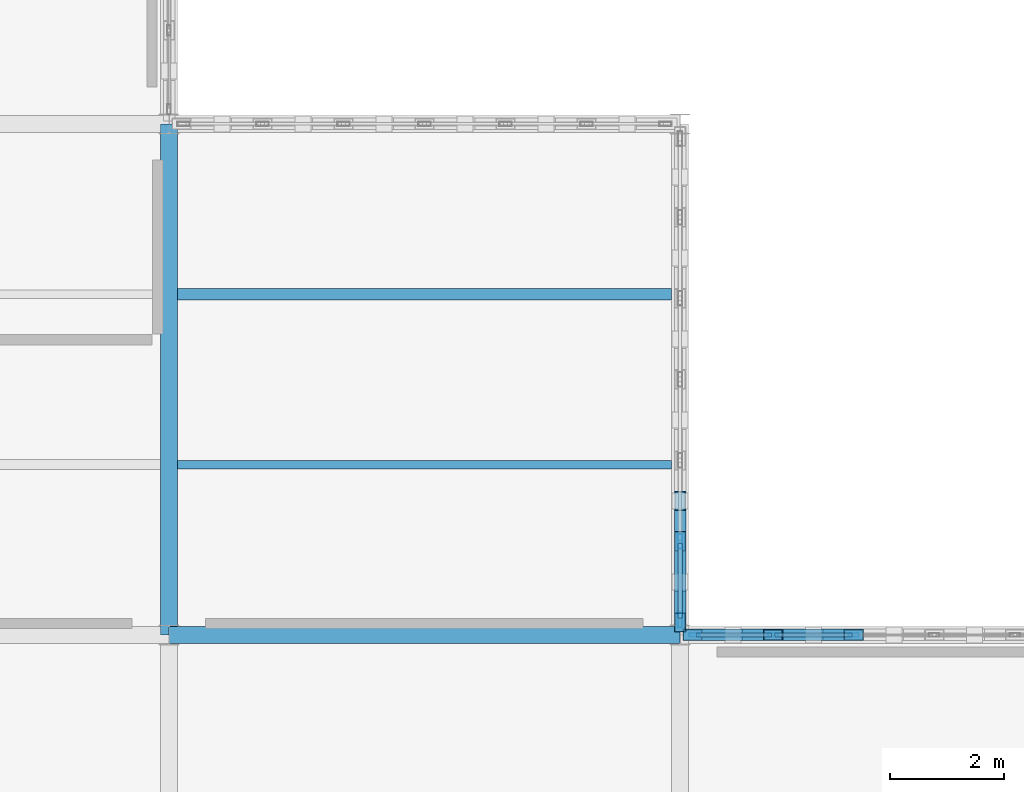
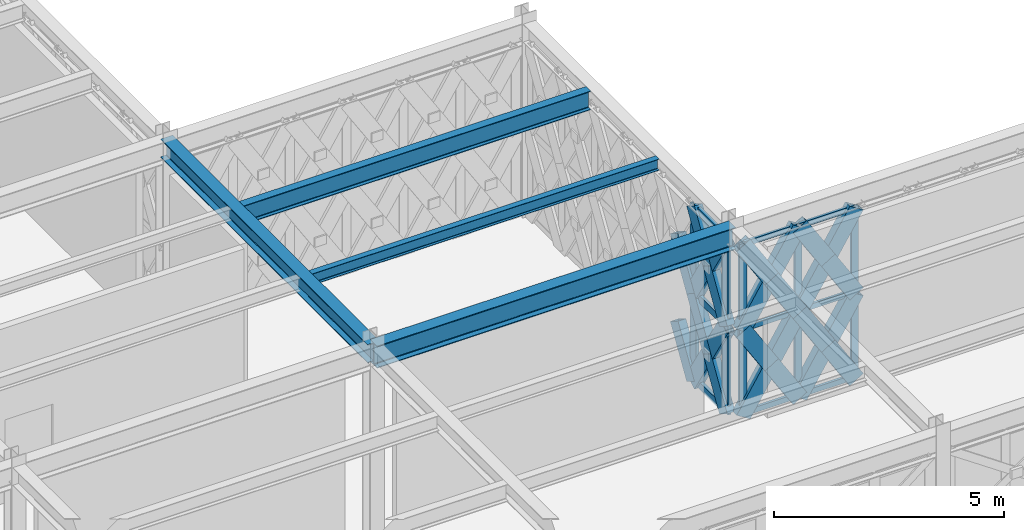
# One storey, part 115 of 166: 34 members, 4 beams, 2 elements without a shape of their own.
"""IFC4 building model written with IfcOpenShell, lengths in metres."""

import ifcopenshell
import ifcopenshell.guid

model = None  # the IFC model being written
_history = None  # IfcOwnerHistory: only IFC2X3 demands one
_inside = {}  # id of a spatial element -> (the spatial element, [elements in it])
_under = {}  # id of a project, library or spatial element -> (it, [spatial elements below it])
_declared = {}  # id of a project -> (the project, [libraries it declares])
_typed = {}  # id of a type object -> (the type object, [elements of that type])
_made_of = {}  # id of a material, layer set ... -> (it, [elements and type objects made of it])


def new_model(schema):
    """Start an empty IFC model of exactly this schema.

    Asked for "IFC4X3", IfcOpenShell would pick the latest addendum, in which some entities
    have other attributes; the version numbers below select the first issue.
    IFC2X3 requires an IfcOwnerHistory on every rooted entity: one is made here for all.
    """
    global model, _history
    if schema == "IFC4X3":
        model = ifcopenshell.file(schema_version=(4, 3, 0, 0))
    else:
        model = ifcopenshell.file(schema=schema)
    _inside.clear()
    _under.clear()
    _declared.clear()
    _typed.clear()
    _made_of.clear()
    _history = None
    if model.schema == "IFC2X3":
        org = make("IfcOrganization", Name="unknown")
        user = make(
            "IfcPersonAndOrganization",
            ThePerson=make("IfcPerson", FamilyName="unknown"),
            TheOrganization=org,
        )
        app = make(
            "IfcApplication",
            ApplicationDeveloper=org,
            Version="unknown",
            ApplicationFullName="unknown",
            ApplicationIdentifier="unknown",
        )
        _history = make(
            "IfcOwnerHistory",
            OwningUser=user,
            OwningApplication=app,
            ChangeAction="ADDED",
            CreationDate=0,
        )
    return model


def make(cls, **values):
    """One entity of the class cls with the attributes given. An attribute that is None is left unset."""
    return model.create_entity(
        cls, **{name: value for name, value in values.items() if value is not None}
    )


def rooted(cls, **values):
    """An entity with a GlobalId (a new one), such as an element, a storey or a relation."""
    return make(cls, GlobalId=ifcopenshell.guid.new(), OwnerHistory=_history, **values)


def si_unit(unit_type, name, prefix=None):
    """IfcSIUnit, for example si_unit("LENGTHUNIT", "METRE", prefix="MILLI")."""
    return make("IfcSIUnit", UnitType=unit_type, Prefix=prefix, Name=name)


def assignment(units):
    """IfcUnitAssignment: the units of a project."""
    return None if units is None else make("IfcUnitAssignment", Units=units)


def point(xyz):
    """IfcCartesianPoint."""
    return None if xyz is None else make("IfcCartesianPoint", Coordinates=xyz)


def direction(xyz):
    """IfcDirection."""
    return None if xyz is None else make("IfcDirection", DirectionRatios=xyz)


def frame(location, z_axis=None, x_axis=None):
    """IfcAxis2Placement3D, a coordinate frame: its origin and axes. An axis left out is left unset."""
    return make(
        "IfcAxis2Placement3D",
        Location=point(location),
        Axis=direction(z_axis),
        RefDirection=direction(x_axis),
    )


def frame_2d(location, x_axis=None):
    """IfcAxis2Placement2D, a coordinate frame in the plane: its origin and x axis."""
    return make(
        "IfcAxis2Placement2D", Location=point(location), RefDirection=direction(x_axis)
    )


def origin():
    """The frame at (0, 0, 0) with its axes left unset."""
    return frame((0.0, 0.0, 0.0))


def origin_2d():
    """The frame at (0, 0) in the plane with its x axis left unset."""
    return frame_2d((0.0, 0.0))


def place(relative_to, where):
    """IfcLocalPlacement: puts the frame where relative to a parent placement (None: the world)."""
    return make(
        "IfcLocalPlacement", PlacementRelTo=relative_to, RelativePlacement=where
    )


def context(
    kind, dimensions, precision=None, world=None, true_north=None, identifier=None
):
    """IfcGeometricRepresentationContext, for example the 3D "Model" context."""
    return make(
        "IfcGeometricRepresentationContext",
        ContextIdentifier=identifier,
        ContextType=kind,
        CoordinateSpaceDimension=dimensions,
        Precision=precision,
        WorldCoordinateSystem=world,
        TrueNorth=true_north,
    )


def subcontext(parent, identifier, kind, view, scale=None):
    """IfcGeometricRepresentationSubContext, for example "Body" below "Model"."""
    return make(
        "IfcGeometricRepresentationSubContext",
        ContextIdentifier=identifier,
        ContextType=kind,
        ParentContext=parent,
        TargetScale=scale,
        TargetView=view,
    )


def project(units=None, contexts=None):
    """IfcProject with its units and contexts."""
    return rooted(
        "IfcProject",
        Name="project",
        RepresentationContexts=contexts,
        UnitsInContext=assignment(units),
    )


def spatial(cls, under=None, at=None, **own):
    """A site, building, storey or space (cls), placed at a placement, below another one or the project."""
    s = rooted(cls, ObjectPlacement=at, **own)
    if under is not None:
        _under.setdefault(under.id(), (under, []))[1].append(s)
    return s


def profile(cls, at=None, kind="AREA", **sizes):
    """A parametric profile (cls). Its sizes go by their IFC names, for example OverallWidth=200.0."""
    return make(cls, ProfileType=kind, Position=at, **sizes)


def hollow_rectangle(**sizes):
    """IfcRectangleHollowProfileDef."""
    return profile("IfcRectangleHollowProfileDef", **sizes)


def i_section(**sizes):
    """IfcIShapeProfileDef."""
    return profile("IfcIShapeProfileDef", **sizes)


def extrude(swept, where, along, depth):
    """IfcExtrudedAreaSolid: the profile swept, set in the frame where, extruded along a direction by depth."""
    return make(
        "IfcExtrudedAreaSolid",
        SweptArea=swept,
        Position=where,
        ExtrudedDirection=direction(along),
        Depth=depth,
    )


def shape(context_of_items, identifier, shape_type, items):
    """IfcShapeRepresentation: the items that make up one representation, for example the "Body"."""
    return make(
        "IfcShapeRepresentation",
        ContextOfItems=context_of_items,
        RepresentationIdentifier=identifier,
        RepresentationType=shape_type,
        Items=items,
    )


def material(Name=None, Category=None):
    """IfcMaterial."""
    return make("IfcMaterial", Name=Name, Category=Category)


def material_profile(
    of_material, cross_section, Name=None, Category=None, Priority=None
):
    """IfcMaterialProfile: a cross section and its material."""
    return make(
        "IfcMaterialProfile",
        Name=Name,
        Material=of_material,
        Profile=cross_section,
        Priority=Priority,
        Category=Category,
    )


def profile_set(profiles, Name=None, composite=None):
    """IfcMaterialProfileSet."""
    return make(
        "IfcMaterialProfileSet",
        Name=Name,
        MaterialProfiles=profiles,
        CompositeProfile=composite,
    )


def made_of(thing, what):
    """Note that an element or type object is made of a material, layer set ...; save() writes the relation."""
    if what is not None:
        _made_of.setdefault(what.id(), (what, []))[1].append(thing)
    return thing


def type_object(cls, material=None, **own):
    """A type object (cls), such as IfcWallType, which elements share."""
    return made_of(rooted(cls, **own), material)


def element(
    cls,
    number,
    at=None,
    inside=None,
    cuts=None,
    type_object=None,
    material=None,
    context=None,
    identifier="Body",
    shape_type=None,
    held_by="IfcProductDefinitionShape",
    body=None,
    shapes=None,
    **own,
):
    """One element of the class cls, such as IfcWall. Its Tag is "e" and its number.

    at: its placement. inside: the storey or other place that contains it. cuts: it is an
    opening in that element (IfcRelVoidsElement). A single representation is given by context,
    identifier, shape_type and body (its items); several are given by shapes. held_by: the class
    of the entity that holds the representations. save() writes the other relations.
    """
    e = rooted(cls, Tag="e%d" % number, ObjectPlacement=at, **own)
    if body is not None:
        shapes = [shape(context, identifier, shape_type, body)]
    if shapes is not None:
        e.Representation = make(held_by, Representations=shapes)
    if inside is not None:
        _inside.setdefault(inside.id(), (inside, []))[1].append(e)
    if cuts is not None:
        rooted(
            "IfcRelVoidsElement", RelatingBuildingElement=cuts, RelatedOpeningElement=e
        )
    if type_object is not None:
        _typed.setdefault(type_object.id(), (type_object, []))[1].append(e)
    return made_of(e, material)


def aggregate(whole, parts):
    """IfcRelAggregates: a whole, such as a stair, and the parts it consists of."""
    return rooted("IfcRelAggregates", RelatingObject=whole, RelatedObjects=parts)


def save(model, path):
    """Write the relations noted so far, then the file.

    IfcRelAggregates (storeys below a building ...), IfcRelContainedInSpatialStructure (elements
    in a storey), IfcRelDefinesByType, IfcRelAssociatesMaterial and IfcRelDeclares: one each for
    every whole, place, type object, material and project.
    """
    for whole, parts in _under.values():
        aggregate(whole, parts)
    for where, things in _inside.values():
        rooted(
            "IfcRelContainedInSpatialStructure",
            RelatedElements=things,
            RelatingStructure=where,
        )
    for kind, things in _typed.values():
        rooted("IfcRelDefinesByType", RelatedObjects=things, RelatingType=kind)
    for what, things in _made_of.values():
        rooted("IfcRelAssociatesMaterial", RelatedObjects=things, RelatingMaterial=what)
    for by, libraries in _declared.values():
        rooted("IfcRelDeclares", RelatingContext=by, RelatedDefinitions=libraries)
    model.write(path)


model = new_model("IFC4")

# Units and contexts
model_context = context("Model", 3, precision=1e-05, world=origin(), true_north=direction((0.0, 1.0)))
body_context = subcontext(model_context, "Body", "Model", "MODEL_VIEW")
ifc_project = project(units=[si_unit("LENGTHUNIT", "METRE"), si_unit("AREAUNIT", "SQUARE_METRE"), si_unit("VOLUMEUNIT", "CUBIC_METRE"), si_unit("PLANEANGLEUNIT", "RADIAN"), si_unit("MASSUNIT", "GRAM", prefix="KILO")], contexts=[model_context])

# Site, building, storey
site_placement = place(None, origin())
site = spatial("IfcSite", under=ifc_project, at=site_placement, CompositionType="ELEMENT")
building_placement = place(site_placement, origin())
building = spatial("IfcBuilding", under=site, at=building_placement, Name="Haizhuo Lancet Aquarium", CompositionType="ELEMENT")
storey_placement = place(building_placement, frame((0.0, 0.0, 5.39990234375)))
storey = spatial("IfcBuildingStorey", under=building, at=storey_placement, Name="L01", CompositionType="ELEMENT", Elevation=5.39990234375)

# Beams
ifc_material_1 = material(Name="Steel S355", Category="steel")
ifc_material_profile_1 = material_profile(ifc_material_1, i_section(OverallWidth=0.300048828125, OverallDepth=0.488037109375, WebThickness=0.010986328125, FlangeThickness=0.01806640625, FilletRadius=0.02392578125, at=origin_2d()), Name="HM 488x300x11x18")
ifc_profile_set_1 = profile_set([ifc_material_profile_1], Name="Steel S355")
beam_type_1 = type_object("IfcBeamType", Name="BM-ST-HM488", PredefinedType="BEAM", material=ifc_profile_set_1)
beam_1_placement = place(storey_placement, frame((63.0, 18.0, 4.89599609375), z_axis=(0.0, 1.0, 0.0), x_axis=(-1.0, 0.0, 0.0)))
element("IfcBeam", 1, at=beam_1_placement, inside=storey, type_object=beam_type_1, Name="L01 V7 primary girder BM-L01-V7-023", PredefinedType="BEAM", context=body_context, shape_type="SweptSolid", body=[
    extrude(i_section(OverallWidth=0.300048828125, OverallDepth=0.488037109375, WebThickness=0.010986328125, FlangeThickness=0.01806640625, FilletRadius=0.02392578125, at=origin_2d()), origin(), (0.0, 0.0, 1.0), 9.0),
])
ifc_material_profile_2 = material_profile(ifc_material_1, i_section(OverallWidth=0.300048828125, OverallDepth=0.587890625, WebThickness=0.011962890625, FlangeThickness=0.02001953125, FilletRadius=0.02587890625, at=origin_2d()), Name="HM 588x300x12x20")
ifc_profile_set_2 = profile_set([ifc_material_profile_2], Name="Steel S355")
beam_type_2 = type_object("IfcBeamType", Name="BM-ST-HM588", PredefinedType="BEAM", material=ifc_profile_set_2)
beam_2_placement = place(storey_placement, frame((63.0, 18.0, 4.84619140625), z_axis=(1.0, 0.0, 0.0), x_axis=(0.0, 1.0, 0.0)))
element("IfcBeam", 2, at=beam_2_placement, inside=storey, type_object=beam_type_2, Name="L01 V7 primary girder BM-L01-V7-024", PredefinedType="BEAM", context=body_context, shape_type="SweptSolid", body=[
    extrude(i_section(OverallWidth=0.300048828125, OverallDepth=0.587890625, WebThickness=0.011962890625, FlangeThickness=0.02001953125, FilletRadius=0.02587890625, at=origin_2d()), origin(), (0.0, 0.0, 1.0), 9.0),
])

# Curtain wall, members
ifc_material_2 = material(Name="Aluminium 6063-T6", Category="aluminium")
curtain_wall_type_1 = type_object("IfcCurtainWallType", Name="CWD-9940x4550", PredefinedType="NOTDEFINED", material=ifc_material_2)
curtain_wall_1_placement = place(storey_placement, origin())
curtain_wall_1 = element("IfcCurtainWall", 3, at=curtain_wall_1_placement, inside=storey, type_object=curtain_wall_type_1, Name="L01 curtain wall CW-V7-L01-289", PredefinedType="NOTDEFINED")
ifc_material_profile_3 = material_profile(ifc_material_2, hollow_rectangle(XDim=0.06494140625, YDim=0.179931640625, WallThickness=0.00390625, at=origin_2d()), Name="ALU-M 65x180x4")
ifc_profile_set_3 = profile_set([ifc_material_profile_3], Name="Aluminium 6063-T6")
member_type_1 = type_object("IfcMemberType", Name="CW-MUL-1", PredefinedType="MULLION", material=ifc_profile_set_3)
member_1_placement = place(storey_placement, frame((72.251953125, 18.0, 0.0), z_axis=(0.0, 0.0, 1.0), x_axis=(0.0, 1.0, 0.0)))
member_1 = element("IfcMember", 4, at=member_1_placement, type_object=member_type_1, Name="CWD-99x45 mullion 1", PredefinedType="MULLION", context=body_context, shape_type="SweptSolid", body=[
    extrude(hollow_rectangle(XDim=0.06494140625, YDim=0.179931640625, WallThickness=0.00390625, at=origin_2d()), origin(), (0.0, 0.0, 1.0), 4.552001953125),
])
member_2_placement = place(storey_placement, frame((73.638916015625, 18.0, 0.0), z_axis=(0.0, 0.0, 1.0), x_axis=(0.0, 1.0, 0.0)))
member_2 = element("IfcMember", 5, at=member_2_placement, type_object=member_type_1, Name="CWD-99x45 mullion 2", PredefinedType="MULLION", context=body_context, shape_type="SweptSolid", body=[
    extrude(hollow_rectangle(XDim=0.06494140625, YDim=0.179931640625, WallThickness=0.00390625, at=origin_2d()), origin(), (0.0, 0.0, 1.0), 4.552001953125),
])
member_3_placement = place(storey_placement, frame((75.05908203125, 18.0, 0.0), z_axis=(0.0, 0.0, 1.0), x_axis=(0.0, 1.0, 0.0)))
member_3 = element("IfcMember", 6, at=member_3_placement, type_object=member_type_1, Name="CWD-99x45 mullion 3", PredefinedType="MULLION", context=body_context, shape_type="SweptSolid", body=[
    extrude(hollow_rectangle(XDim=0.06494140625, YDim=0.179931640625, WallThickness=0.00390625, at=origin_2d()), origin(), (0.0, 0.0, 1.0), 4.552001953125),
])

curtain_wall_type_2 = type_object("IfcCurtainWallType", Name="CWD-8560x4650", PredefinedType="NOTDEFINED", material=ifc_material_2)
curtain_wall_2_placement = place(storey_placement, origin())
curtain_wall_2 = element("IfcCurtainWall", 7, at=curtain_wall_2_placement, inside=storey, type_object=curtain_wall_type_2, Name="L01 curtain wall CW-V7-L01-288", PredefinedType="NOTDEFINED")
ifc_material_profile_4 = material_profile(ifc_material_2, hollow_rectangle(XDim=0.080078125, YDim=0.260009765625, WallThickness=0.0048828125, at=origin_2d()), Name="ALU-M 80x260x5")
ifc_profile_set_4 = profile_set([ifc_material_profile_4], Name="Aluminium 6063-T6")
member_type_2 = type_object("IfcMemberType", Name="CW-MUL-3", PredefinedType="MULLION", material=ifc_profile_set_4)
member_4_placement = place(storey_placement, frame((72.0, 19.64697265625, 0.0), z_axis=(0.0, 0.0, 1.0), x_axis=(1.0, 0.0, 0.0)))
member_4 = element("IfcMember", 8, at=member_4_placement, type_object=member_type_2, Name="CWD-85x46 mullion 6", PredefinedType="MULLION", context=body_context, shape_type="SweptSolid", body=[
    extrude(hollow_rectangle(XDim=0.080078125, YDim=0.260009765625, WallThickness=0.0048828125, at=origin_2d()), origin(), (0.0, 0.0, 1.0), 4.652099609375),
])
member_5_placement = place(storey_placement, frame((72.0, 18.260009765625, 0.0), z_axis=(0.0, 0.0, 1.0), x_axis=(1.0, 0.0, 0.0)))
member_5 = element("IfcMember", 9, at=member_5_placement, type_object=member_type_2, Name="CWD-85x46 mullion 7", PredefinedType="MULLION", context=body_context, shape_type="SweptSolid", body=[
    extrude(hollow_rectangle(XDim=0.080078125, YDim=0.260009765625, WallThickness=0.0048828125, at=origin_2d()), origin(), (0.0, 0.0, 1.0), 4.652099609375),
])

# Member
ifc_material_profile_5 = material_profile(ifc_material_2, hollow_rectangle(XDim=0.06494140625, YDim=0.139892578125, WallThickness=0.00390625, at=origin_2d()), Name="ALU-T 65x140x4")
ifc_profile_set_5 = profile_set([ifc_material_profile_5], Name="Aluminium 6063-T6")
member_type_3 = type_object("IfcMemberType", Name="CW-TRN-1", PredefinedType="NOTDEFINED", material=ifc_profile_set_5)
member_6_placement = place(storey_placement, frame((72.284912109375, 18.0, 0.033203125), z_axis=(1.0, 0.0, 0.0), x_axis=(0.0, 1.0, 0.0)))
member_6 = element("IfcMember", 10, at=member_6_placement, type_object=member_type_3, Name="CWD-99x45 transom 1.1", ObjectType="TRANSOM", PredefinedType="USERDEFINED", context=body_context, shape_type="SweptSolid", body=[
    extrude(hollow_rectangle(XDim=0.06494140625, YDim=0.139892578125, WallThickness=0.00390625, at=origin_2d()), origin(), (0.0, 0.0, 1.0), 1.322021484375),
])

member_7_placement = place(storey_placement, frame((72.284912109375, 18.0, 2.276123046875), z_axis=(1.0, 0.0, 0.0), x_axis=(0.0, 1.0, 0.0)))
member_7 = element("IfcMember", 11, at=member_7_placement, type_object=member_type_3, Name="CWD-99x45 transom 1.2", ObjectType="TRANSOM", PredefinedType="USERDEFINED", context=body_context, shape_type="SweptSolid", body=[
    extrude(hollow_rectangle(XDim=0.06494140625, YDim=0.139892578125, WallThickness=0.00390625, at=origin_2d()), origin(), (0.0, 0.0, 1.0), 1.322021484375),
])

member_8_placement = place(storey_placement, frame((72.284912109375, 18.0, 4.51904296875), z_axis=(1.0, 0.0, 0.0), x_axis=(0.0, 1.0, 0.0)))
member_8 = element("IfcMember", 12, at=member_8_placement, type_object=member_type_3, Name="CWD-99x45 transom 1.3", ObjectType="TRANSOM", PredefinedType="USERDEFINED", context=body_context, shape_type="SweptSolid", body=[
    extrude(hollow_rectangle(XDim=0.06494140625, YDim=0.139892578125, WallThickness=0.00390625, at=origin_2d()), origin(), (0.0, 0.0, 1.0), 1.322021484375),
])

member_9_placement = place(storey_placement, frame((73.672119140625, 18.0, 0.033203125), z_axis=(1.0, 0.0, 0.0), x_axis=(0.0, 1.0, 0.0)))
member_9 = element("IfcMember", 13, at=member_9_placement, type_object=member_type_3, Name="CWD-99x45 transom 2.1", ObjectType="TRANSOM", PredefinedType="USERDEFINED", context=body_context, shape_type="SweptSolid", body=[
    extrude(hollow_rectangle(XDim=0.06494140625, YDim=0.139892578125, WallThickness=0.00390625, at=origin_2d()), origin(), (0.0, 0.0, 1.0), 1.353759765625),
])

member_10_placement = place(storey_placement, frame((73.672119140625, 18.0, 2.276123046875), z_axis=(1.0, 0.0, 0.0), x_axis=(0.0, 1.0, 0.0)))
member_10 = element("IfcMember", 14, at=member_10_placement, type_object=member_type_3, Name="CWD-99x45 transom 2.2", ObjectType="TRANSOM", PredefinedType="USERDEFINED", context=body_context, shape_type="SweptSolid", body=[
    extrude(hollow_rectangle(XDim=0.06494140625, YDim=0.139892578125, WallThickness=0.00390625, at=origin_2d()), origin(), (0.0, 0.0, 1.0), 1.353759765625),
])

member_11_placement = place(storey_placement, frame((73.672119140625, 18.0, 4.51904296875), z_axis=(1.0, 0.0, 0.0), x_axis=(0.0, 1.0, 0.0)))
member_11 = element("IfcMember", 15, at=member_11_placement, type_object=member_type_3, Name="CWD-99x45 transom 2.3", ObjectType="TRANSOM", PredefinedType="USERDEFINED", context=body_context, shape_type="SweptSolid", body=[
    extrude(hollow_rectangle(XDim=0.06494140625, YDim=0.139892578125, WallThickness=0.00390625, at=origin_2d()), origin(), (0.0, 0.0, 1.0), 1.353759765625),
])

aggregate(curtain_wall_1, [member_1, member_2, member_3, member_6, member_7, member_8, member_9, member_10, member_11])

ifc_material_profile_6 = material_profile(ifc_material_2, hollow_rectangle(XDim=0.080078125, YDim=0.18994140625, WallThickness=0.0048828125, at=origin_2d()), Name="ALU-T 80x190x5")
ifc_profile_set_6 = profile_set([ifc_material_profile_6], Name="Aluminium 6063-T6")
member_type_4 = type_object("IfcMemberType", Name="CW-TRN-3", PredefinedType="NOTDEFINED", material=ifc_profile_set_6)
member_12_placement = place(storey_placement, frame((72.0, 19.60693359375, 0.0400390625), z_axis=(0.0, -1.0, 0.0), x_axis=(1.0, 0.0, 0.0)))
member_12 = element("IfcMember", 16, at=member_12_placement, type_object=member_type_4, Name="CWD-85x46 transom 6.1", ObjectType="TRANSOM", PredefinedType="USERDEFINED", context=body_context, shape_type="SweptSolid", body=[
    extrude(hollow_rectangle(XDim=0.080078125, YDim=0.18994140625, WallThickness=0.0048828125, at=origin_2d()), origin(), (0.0, 0.0, 1.0), 1.306884765625),
])

member_13_placement = place(storey_placement, frame((72.0, 19.60693359375, 2.326171875), z_axis=(0.0, -1.0, 0.0), x_axis=(1.0, 0.0, 0.0)))
member_13 = element("IfcMember", 17, at=member_13_placement, type_object=member_type_4, Name="CWD-85x46 transom 6.2", ObjectType="TRANSOM", PredefinedType="USERDEFINED", context=body_context, shape_type="SweptSolid", body=[
    extrude(hollow_rectangle(XDim=0.080078125, YDim=0.18994140625, WallThickness=0.0048828125, at=origin_2d()), origin(), (0.0, 0.0, 1.0), 1.306884765625),
])

member_14_placement = place(storey_placement, frame((72.0, 19.60693359375, 4.612060546875), z_axis=(0.0, -1.0, 0.0), x_axis=(1.0, 0.0, 0.0)))
member_14 = element("IfcMember", 18, at=member_14_placement, type_object=member_type_4, Name="CWD-85x46 transom 6.3", ObjectType="TRANSOM", PredefinedType="USERDEFINED", context=body_context, shape_type="SweptSolid", body=[
    extrude(hollow_rectangle(XDim=0.080078125, YDim=0.18994140625, WallThickness=0.0048828125, at=origin_2d()), origin(), (0.0, 0.0, 1.0), 1.306884765625),
])

aggregate(curtain_wall_2, [member_4, member_5, member_12, member_13, member_14])

# Beams
ifc_material_profile_7 = material_profile(ifc_material_1, i_section(OverallWidth=0.14990234375, OverallDepth=0.300048828125, WebThickness=0.006591796875, FlangeThickness=0.009033203125, FilletRadius=0.012939453125, at=origin_2d()), Name="HN 300x150x6.5x9")
ifc_profile_set_7 = profile_set([ifc_material_profile_7], Name="Steel S355")
beam_type_3 = type_object("IfcBeamType", Name="JST-ST-HN300", PredefinedType="JOIST", material=ifc_profile_set_7)
beam_3_placement = place(storey_placement, frame((63.14990234375, 21.0, 4.989990234375), z_axis=(1.0, 0.0, 0.0), x_axis=(0.0, 1.0, 0.0)))
element("IfcBeam", 19, at=beam_3_placement, inside=storey, type_object=beam_type_3, Name="L01 V7 secondary floor joist 17", PredefinedType="JOIST", context=body_context, shape_type="SweptSolid", body=[
    extrude(i_section(OverallWidth=0.14990234375, OverallDepth=0.300048828125, WebThickness=0.006591796875, FlangeThickness=0.009033203125, FilletRadius=0.012939453125, at=origin_2d()), origin(), (0.0, 0.0, 1.0), 8.7001953125),
])
ifc_material_profile_8 = material_profile(ifc_material_1, i_section(OverallWidth=0.199951171875, OverallDepth=0.5, WebThickness=0.010009765625, FlangeThickness=0.01611328125, FilletRadius=0.02001953125, at=origin_2d()), Name="HN 500x200x10x16")
ifc_profile_set_8 = profile_set([ifc_material_profile_8], Name="Steel S355")
beam_type_4 = type_object("IfcBeamType", Name="JST-ST-HN500", PredefinedType="JOIST", material=ifc_profile_set_8)
beam_4_placement = place(storey_placement, frame((63.14990234375, 24.0, 4.89013671875), z_axis=(1.0, 0.0, 0.0), x_axis=(0.0, 1.0, 0.0)))
element("IfcBeam", 20, at=beam_4_placement, inside=storey, type_object=beam_type_4, Name="L01 V7 secondary floor joist 18", PredefinedType="JOIST", context=body_context, shape_type="SweptSolid", body=[
    extrude(i_section(OverallWidth=0.199951171875, OverallDepth=0.5, WebThickness=0.010009765625, FlangeThickness=0.01611328125, FilletRadius=0.02001953125, at=origin_2d()), origin(), (0.0, 0.0, 1.0), 8.7001953125),
])

# Members
ifc_material_profile_9 = material_profile(ifc_material_1, hollow_rectangle(XDim=0.199951171875, YDim=0.39990234375, WallThickness=0.011962890625, at=origin_2d()), Name="RHS 200x400x12")
ifc_profile_set_9 = profile_set([ifc_material_profile_9], Name="Steel S355")
member_type_5 = type_object("IfcMemberType", Name="MEM-LB-RHS200x400", PredefinedType="BRACE", material=ifc_profile_set_9)
member_15_placement = place(storey_placement, frame((72.0, 19.64697265625, 0.0), z_axis=(0.0, 0.522708917992, 0.852511224003), x_axis=(-1.0, 0.0, 0.0)))
element("IfcMember", 21, at=member_15_placement, inside=storey, type_object=member_type_5, Name="Gothic lancet split diagonal brace CW-V7-L01-288 9B1", PredefinedType="BRACE", context=body_context, shape_type="SweptSolid", body=[
    extrude(hollow_rectangle(XDim=0.199951171875, YDim=0.39990234375, WallThickness=0.011962890625, at=origin_2d()), origin(), (0.0, 0.0, 1.0), 1.3642578125),
])
member_16_placement = place(storey_placement, frame((72.0, 19.64697265625, 2.326171875), z_axis=(0.0, 0.5227886701, 0.852462319646), x_axis=(-1.0, 0.0, 0.0)))
element("IfcMember", 22, at=member_16_placement, inside=storey, type_object=member_type_5, Name="Gothic lancet split diagonal brace CW-V7-L01-288 10B1", PredefinedType="BRACE", context=body_context, shape_type="SweptSolid", body=[
    extrude(hollow_rectangle(XDim=0.199951171875, YDim=0.39990234375, WallThickness=0.011962890625, at=origin_2d()), origin(), (0.0, 0.0, 1.0), 1.364013671875),
])
member_17_placement = place(storey_placement, frame((72.0, 19.64697265625, 0.0), z_axis=(0.0, -0.522903960116, 0.85239160513), x_axis=(1.0, 0.0, 0.0)))
element("IfcMember", 23, at=member_17_placement, inside=storey, type_object=member_type_5, Name="Gothic lancet continuous diagonal brace CW-V7-L01-288 11A", PredefinedType="BRACE", context=body_context, shape_type="SweptSolid", body=[
    extrude(hollow_rectangle(XDim=0.199951171875, YDim=0.39990234375, WallThickness=0.011962890625, at=origin_2d()), origin(), (0.0, 0.0, 1.0), 2.72900390625),
])
member_18_placement = place(storey_placement, frame((72.0, 18.219970703125, 0.0), z_axis=(0.0, 0.522708917992, 0.852511224003), x_axis=(-1.0, 0.0, 0.0)))
element("IfcMember", 24, at=member_18_placement, inside=storey, type_object=member_type_5, Name="Gothic lancet split diagonal brace CW-V7-L01-288 11B1", PredefinedType="BRACE", context=body_context, shape_type="SweptSolid", body=[
    extrude(hollow_rectangle(XDim=0.199951171875, YDim=0.39990234375, WallThickness=0.011962890625, at=origin_2d()), origin(), (0.0, 0.0, 1.0), 1.3642578125),
])
member_19_placement = place(storey_placement, frame((72.0, 18.93310546875, 1.1630859375), z_axis=(0.0, 0.52309892014, 0.852271975222), x_axis=(-1.0, 0.0, 0.0)))
element("IfcMember", 25, at=member_19_placement, inside=storey, type_object=member_type_5, Name="Gothic lancet split diagonal brace CW-V7-L01-288 11B2", PredefinedType="BRACE", context=body_context, shape_type="SweptSolid", body=[
    extrude(hollow_rectangle(XDim=0.199951171875, YDim=0.39990234375, WallThickness=0.011962890625, at=origin_2d()), origin(), (0.0, 0.0, 1.0), 1.36474609375),
])
member_20_placement = place(storey_placement, frame((72.0, 19.64697265625, 2.326171875), z_axis=(0.0, -0.522943837384, 0.852367140933), x_axis=(1.0, 0.0, 0.0)))
element("IfcMember", 26, at=member_20_placement, inside=storey, type_object=member_type_5, Name="Gothic lancet continuous diagonal brace CW-V7-L01-288 12A", PredefinedType="BRACE", context=body_context, shape_type="SweptSolid", body=[
    extrude(hollow_rectangle(XDim=0.199951171875, YDim=0.39990234375, WallThickness=0.011962890625, at=origin_2d()), origin(), (0.0, 0.0, 1.0), 2.728759765625),
])
member_21_placement = place(storey_placement, frame((72.0, 18.219970703125, 2.326171875), z_axis=(0.0, 0.5227886701, 0.852462319646), x_axis=(-1.0, 0.0, 0.0)))
element("IfcMember", 27, at=member_21_placement, inside=storey, type_object=member_type_5, Name="Gothic lancet split diagonal brace CW-V7-L01-288 12B1", PredefinedType="BRACE", context=body_context, shape_type="SweptSolid", body=[
    extrude(hollow_rectangle(XDim=0.199951171875, YDim=0.39990234375, WallThickness=0.011962890625, at=origin_2d()), origin(), (0.0, 0.0, 1.0), 1.364013671875),
])
member_22_placement = place(storey_placement, frame((72.0, 18.93310546875, 3.489013671875), z_axis=(0.0, 0.52309892014, 0.852271975222), x_axis=(-1.0, 0.0, 0.0)))
element("IfcMember", 28, at=member_22_placement, inside=storey, type_object=member_type_5, Name="Gothic lancet split diagonal brace CW-V7-L01-288 12B2", PredefinedType="BRACE", context=body_context, shape_type="SweptSolid", body=[
    extrude(hollow_rectangle(XDim=0.199951171875, YDim=0.39990234375, WallThickness=0.011962890625, at=origin_2d()), origin(), (0.0, 0.0, 1.0), 1.36474609375),
])
member_23_placement = place(storey_placement, frame((72.219970703125, 18.0, 0.0), z_axis=(0.529024952712, 0.0, 0.848606268777), x_axis=(0.0, 1.0, 0.0)))
element("IfcMember", 29, at=member_23_placement, inside=storey, type_object=member_type_5, Name="Gothic lancet continuous diagonal brace CW-V7-L01-289 1A", PredefinedType="BRACE", context=body_context, shape_type="SweptSolid", body=[
    extrude(hollow_rectangle(XDim=0.199951171875, YDim=0.39990234375, WallThickness=0.011962890625, at=origin_2d()), origin(), (0.0, 0.0, 1.0), 2.68212890625),
])
member_24_placement = place(storey_placement, frame((73.638916015625, 18.0, 0.0), z_axis=(-0.529246205915, 0.0, 0.848468298479), x_axis=(0.0, -1.0, 0.0)))
element("IfcMember", 30, at=member_24_placement, inside=storey, type_object=member_type_5, Name="Gothic lancet split diagonal brace CW-V7-L01-289 1B1", PredefinedType="BRACE", context=body_context, shape_type="SweptSolid", body=[
    extrude(hollow_rectangle(XDim=0.199951171875, YDim=0.39990234375, WallThickness=0.011962890625, at=origin_2d()), origin(), (0.0, 0.0, 1.0), 1.341552734375),
])
member_25_placement = place(storey_placement, frame((72.928955078125, 18.0, 1.13818359375), z_axis=(-0.528803544066, 0.0, 0.848744255817), x_axis=(0.0, -1.0, 0.0)))
element("IfcMember", 31, at=member_25_placement, inside=storey, type_object=member_type_5, Name="Gothic lancet split diagonal brace CW-V7-L01-289 1B2", PredefinedType="BRACE", context=body_context, shape_type="SweptSolid", body=[
    extrude(hollow_rectangle(XDim=0.199951171875, YDim=0.39990234375, WallThickness=0.011962890625, at=origin_2d()), origin(), (0.0, 0.0, 1.0), 1.3408203125),
])
member_26_placement = place(storey_placement, frame((72.219970703125, 18.0, 2.276123046875), z_axis=(0.529065818509, 0.0, 0.84858079149), x_axis=(0.0, 1.0, 0.0)))
element("IfcMember", 32, at=member_26_placement, inside=storey, type_object=member_type_5, Name="Gothic lancet continuous diagonal brace CW-V7-L01-289 2A", PredefinedType="BRACE", context=body_context, shape_type="SweptSolid", body=[
    extrude(hollow_rectangle(XDim=0.199951171875, YDim=0.39990234375, WallThickness=0.011962890625, at=origin_2d()), origin(), (0.0, 0.0, 1.0), 2.681884765625),
])
member_27_placement = place(storey_placement, frame((73.638916015625, 18.0, 2.276123046875), z_axis=(-0.529327941419, 0.0, 0.848417309131), x_axis=(0.0, -1.0, 0.0)))
element("IfcMember", 33, at=member_27_placement, inside=storey, type_object=member_type_5, Name="Gothic lancet split diagonal brace CW-V7-L01-289 2B1", PredefinedType="BRACE", context=body_context, shape_type="SweptSolid", body=[
    extrude(hollow_rectangle(XDim=0.199951171875, YDim=0.39990234375, WallThickness=0.011962890625, at=origin_2d()), origin(), (0.0, 0.0, 1.0), 1.34130859375),
])
member_28_placement = place(storey_placement, frame((72.928955078125, 18.0, 3.4140625), z_axis=(-0.528803544066, 0.0, 0.848744255817), x_axis=(0.0, -1.0, 0.0)))
element("IfcMember", 34, at=member_28_placement, inside=storey, type_object=member_type_5, Name="Gothic lancet split diagonal brace CW-V7-L01-289 2B2", PredefinedType="BRACE", context=body_context, shape_type="SweptSolid", body=[
    extrude(hollow_rectangle(XDim=0.199951171875, YDim=0.39990234375, WallThickness=0.011962890625, at=origin_2d()), origin(), (0.0, 0.0, 1.0), 1.3408203125),
])
member_29_placement = place(storey_placement, frame((73.638916015625, 18.0, 0.0), z_axis=(0.529352577061, 0.0, 0.848401938446), x_axis=(0.0, 1.0, 0.0)))
element("IfcMember", 35, at=member_29_placement, inside=storey, type_object=member_type_5, Name="Gothic lancet continuous diagonal brace CW-V7-L01-289 3A", PredefinedType="BRACE", context=body_context, shape_type="SweptSolid", body=[
    extrude(hollow_rectangle(XDim=0.199951171875, YDim=0.39990234375, WallThickness=0.011962890625, at=origin_2d()), origin(), (0.0, 0.0, 1.0), 2.682861328125),
])
member_30_placement = place(storey_placement, frame((75.05908203125, 18.0, 0.0), z_axis=(-0.529246205915, 0.0, 0.848468298479), x_axis=(0.0, -1.0, 0.0)))
element("IfcMember", 36, at=member_30_placement, inside=storey, type_object=member_type_5, Name="Gothic lancet split diagonal brace CW-V7-L01-289 3B1", PredefinedType="BRACE", context=body_context, shape_type="SweptSolid", body=[
    extrude(hollow_rectangle(XDim=0.199951171875, YDim=0.39990234375, WallThickness=0.011962890625, at=origin_2d()), origin(), (0.0, 0.0, 1.0), 1.341552734375),
])
member_31_placement = place(storey_placement, frame((74.34912109375, 18.0, 1.13818359375), z_axis=(-0.529458946062, 0.0, 0.848335561222), x_axis=(0.0, -1.0, 0.0)))
element("IfcMember", 37, at=member_31_placement, inside=storey, type_object=member_type_5, Name="Gothic lancet split diagonal brace CW-V7-L01-289 3B2", PredefinedType="BRACE", context=body_context, shape_type="SweptSolid", body=[
    extrude(hollow_rectangle(XDim=0.199951171875, YDim=0.39990234375, WallThickness=0.011962890625, at=origin_2d()), origin(), (0.0, 0.0, 1.0), 1.34130859375),
])
member_32_placement = place(storey_placement, frame((73.638916015625, 18.0, 2.276123046875), z_axis=(0.529393448474, 0.0, 0.848376435736), x_axis=(0.0, 1.0, 0.0)))
element("IfcMember", 38, at=member_32_placement, inside=storey, type_object=member_type_5, Name="Gothic lancet continuous diagonal brace CW-V7-L01-289 4A", PredefinedType="BRACE", context=body_context, shape_type="SweptSolid", body=[
    extrude(hollow_rectangle(XDim=0.199951171875, YDim=0.39990234375, WallThickness=0.011962890625, at=origin_2d()), origin(), (0.0, 0.0, 1.0), 2.6826171875),
])
for number, where, z_axis, x_axis, name in (
    (39, (75.05908203125, 18.0, 2.276123046875), (-0.529327941419, 0.0, 0.848417309131), (0.0, -1.0, 0.0), "Gothic lancet split diagonal brace CW-V7-L01-289 4B1"),
    (40, (74.34912109375, 18.0, 3.4140625), (-0.529458946062, 0.0, 0.848335561222), (0.0, -1.0, 0.0), "Gothic lancet split diagonal brace CW-V7-L01-289 4B2"),
):
    element("IfcMember", number, at=place(storey_placement, frame(where, z_axis=z_axis, x_axis=x_axis)), inside=storey, type_object=member_type_5, Name=name, PredefinedType="BRACE", context=body_context, shape_type="SweptSolid", body=[
        extrude(hollow_rectangle(XDim=0.199951171875, YDim=0.39990234375, WallThickness=0.011962890625, at=origin_2d()), origin(), (0.0, 0.0, 1.0), 1.34130859375),
    ])

save(model, "model.ifc")
